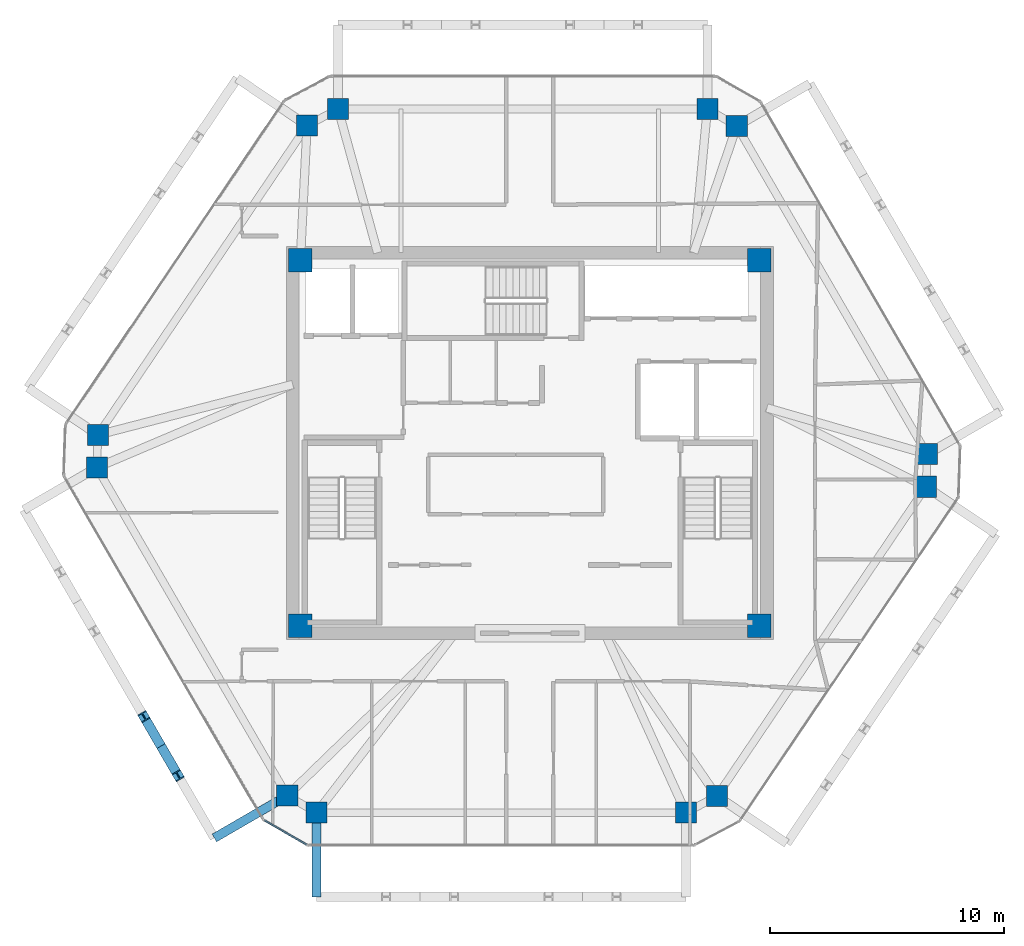
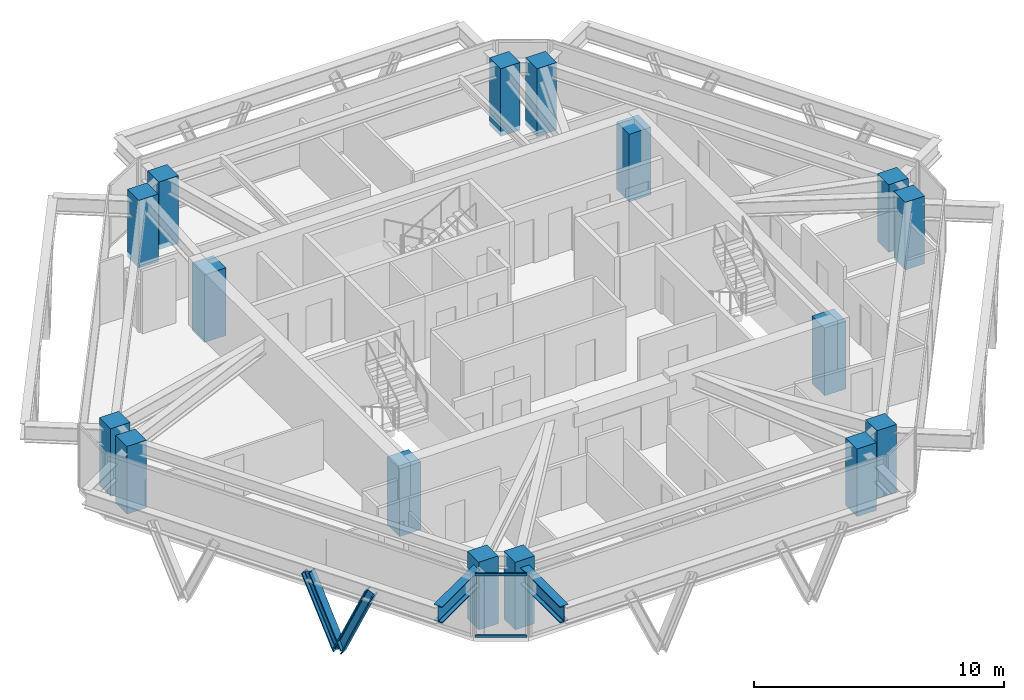
# One storey, part 1 of 11: 16 columns, 4 members, 2 beams, 1 element without a shape of its own.
"""IFC4 building model written with IfcOpenShell, lengths in metres."""

from ifc_helpers import new_model, si_unit, direction, frame, origin, origin_2d, place, context, subcontext, project, spatial, rectangle, i_section, extrude, source, transform, mapped, material, layer, layer_set, material_profile, profile_set, type_object, type_shapes, element, aggregate, save


model = new_model("IFC4")

# Units and contexts
model_context = context("Model", 3, precision=1e-05, world=origin(), true_north=direction((0.0, 1.0)))
body_context = subcontext(model_context, "Body", "Model", "MODEL_VIEW")
ifc_project = project(units=[si_unit("LENGTHUNIT", "METRE"), si_unit("AREAUNIT", "SQUARE_METRE"), si_unit("VOLUMEUNIT", "CUBIC_METRE"), si_unit("PLANEANGLEUNIT", "RADIAN"), si_unit("MASSUNIT", "GRAM", prefix="KILO")], contexts=[model_context])

# Site, building, storey
site_placement = place(None, origin())
site = spatial("IfcSite", under=ifc_project, at=site_placement, CompositionType="ELEMENT")
building_placement = place(site_placement, origin())
building = spatial("IfcBuilding", under=site, at=building_placement, Name="Durnholm Broadcast Tower", CompositionType="ELEMENT")
storey_placement = place(building_placement, frame((0.0, 0.0, 244.699951171875)))
storey = spatial("IfcBuildingStorey", under=building, at=storey_placement, Name="L68", CompositionType="ELEMENT", Elevation=244.699951171875)

# Columns
ifc_material_1 = material(Name="Concrete C70/85", Category="concrete")
ifc_material_profile_1 = material_profile(ifc_material_1, rectangle(XDim=1.0, YDim=1.0, at=origin_2d()), Name="RC1000X1000")
ifc_profile_set_1 = profile_set([ifc_material_profile_1], Name="Concrete C70/85")
column_type_1 = type_object("IfcColumnType", Name="COL-CC-1000", PredefinedType="COLUMN", material=ifc_profile_set_1)
shared_shape_1 = source(origin(), body_context, "Body", "SweptSolid", [
    extrude(rectangle(XDim=1.0, YDim=1.0, at=origin_2d()), origin(), (0.0, 0.0, 1.0), 3.300048828125),
])
type_shapes(column_type_1, [shared_shape_1])
for number, where, z_axis, x_axis, name in (
    (1, (-9.800048828125, -7.800048828125, -0.239990234375), (0.0, 0.0, 1.0), (1.0, 0.0, 0.0), "L68 core corner column 1"),
    (2, (9.800048828125, -7.800048828125, -0.239990234375), (0.0, 0.0, 1.0), (1.0, 0.0, 0.0), "L68 core corner column 2"),
    (3, (9.800048828125, 7.800048828125, -0.239990234375), (0.0, 0.0, 1.0), (1.0, 0.0, 0.0), "L68 core corner column 3"),
    (4, (-9.800048828125, 7.800048828125, -0.239990234375), (0.0, 0.0, 1.0), (1.0, 0.0, 0.0), "L68 core corner column 4"),
):
    element("IfcColumn", number, at=place(storey_placement, frame(where, z_axis=z_axis, x_axis=x_axis)), inside=storey, type_object=column_type_1, Name=name, PredefinedType="COLUMN", context=body_context, shape_type="MappedRepresentation", body=[
        mapped(shared_shape_1, transform((0.0, 0.0, 0.0), x_axis=(1.0, 0.0, 0.0), y_axis=(0.0, 1.0, 0.0), z_axis=(0.0, 0.0, 1.0), scale=1.0)),
    ])
ifc_material_profile_2 = material_profile(ifc_material_1, rectangle(XDim=0.89990234375, YDim=0.89990234375, at=origin_2d()), Name="RC900X900")
ifc_profile_set_2 = profile_set([ifc_material_profile_2], Name="Concrete C70/85")
column_type_2 = type_object("IfcColumnType", Name="COL-CC-900", PredefinedType="COLUMN", material=ifc_profile_set_2)
shared_shape_2 = source(origin(), body_context, "Body", "SweptSolid", [
    extrude(rectangle(XDim=0.89990234375, YDim=0.89990234375, at=origin_2d()), origin(), (0.0, 0.0, 1.0), 3.300048828125),
])
type_shapes(column_type_2, [shared_shape_2])
for number, where, z_axis, x_axis, name in (
    (5, (-10.361328125, -15.061767578125, -0.239990234375), (0.0, 0.0, 1.0), (1.0, 0.0, 0.0), "L68 perimeter hexagonal tube column 01"),
    (6, (-18.494384765625, -1.0478515625, -0.239990234375), (0.0, 0.0, 1.0), (1.0, 0.0, 0.0), "L68 perimeter hexagonal tube column 02"),
    (7, (-18.4462890625, 0.345947265625, -0.239990234375), (0.0, 0.0, 1.0), (1.0, 0.0, 0.0), "L68 perimeter hexagonal tube column 03"),
    (8, (-9.514892578125, 13.557373046875, -0.239990234375), (0.0, 0.0, 1.0), (1.0, 0.0, 0.0), "L68 perimeter hexagonal tube column 04"),
    (9, (-8.187744140625, 14.261962890625, -0.239990234375), (0.0, 0.0, 1.0), (1.0, 0.0, 0.0), "L68 perimeter hexagonal tube column 05"),
    (10, (7.57958984375, 14.261962890625, -0.239990234375), (0.0, 0.0, 1.0), (1.0, 0.0, 0.0), "L68 perimeter hexagonal tube column 06"),
    (11, (8.83740234375, 13.53759765625, -0.239990234375), (0.0, 0.0, 1.0), (1.0, 0.0, 0.0), "L68 perimeter hexagonal tube column 07"),
    (12, (16.97021484375, -0.47607421875, -0.239990234375), (0.0, 0.0, 1.0), (1.0, 0.0, 0.0), "L68 perimeter hexagonal tube column 08"),
    (13, (16.92236328125, -1.869873046875, -0.239990234375), (0.0, 0.0, 1.0), (1.0, 0.0, 0.0), "L68 perimeter hexagonal tube column 09"),
    (14, (7.990966796875, -15.081298828125, -0.239990234375), (0.0, 0.0, 1.0), (1.0, 0.0, 0.0), "L68 perimeter hexagonal tube column 10"),
    (15, (6.663818359375, -15.785888671875, -0.239990234375), (0.0, 0.0, 1.0), (1.0, 0.0, 0.0), "L68 perimeter hexagonal tube column 11"),
    (16, (-9.103759765625, -15.785888671875, -0.239990234375), (0.0, 0.0, 1.0), (1.0, 0.0, 0.0), "L68 perimeter hexagonal tube column 12"),
):
    element("IfcColumn", number, at=place(storey_placement, frame(where, z_axis=z_axis, x_axis=x_axis)), inside=storey, type_object=column_type_2, Name=name, PredefinedType="COLUMN", context=body_context, shape_type="MappedRepresentation", body=[
        mapped(shared_shape_2, transform((0.0, 0.0, 0.0), x_axis=(1.0, 0.0, 0.0), y_axis=(0.0, 1.0, 0.0), z_axis=(0.0, 0.0, 1.0), scale=1.0)),
    ])

# Beams
ifc_material_2 = material(Name="Steel ASTM A992 Grade 50", Category="steel")
ifc_material_profile_3 = material_profile(ifc_material_2, i_section(OverallWidth=0.385009765625, OverallDepth=0.802978515625, WebThickness=0.023681640625, FlangeThickness=0.0419921875, FilletRadius=0.032958984375, at=origin_2d()), Name="W30X261")
ifc_profile_set_3 = profile_set([ifc_material_profile_3], Name="Steel ASTM A992 Grade 50")
beam_type = type_object("IfcBeamType", Name="BM-EXO-TIE", PredefinedType="USERDEFINED", material=ifc_profile_set_3)
shared_shape_3 = source(origin(), body_context, "Body", "SweptSolid", [
    extrude(i_section(OverallWidth=0.385009765625, OverallDepth=0.802978515625, WebThickness=0.023681640625, FlangeThickness=0.0419921875, FilletRadius=0.032958984375, at=origin_2d()), origin(), (0.0, 0.0, 1.0), 3.4560546875),
])
type_shapes(beam_type, [shared_shape_3])
for number, where, z_axis, x_axis, name in (
    (17, (-9.103759765625, -15.929931640625, 2.30859375), (0.0, -1.0, 0.0), (1.0, 0.0, 0.0), "L68 exoskeleton stand-off tie bracket F1.1"),
    (18, (-10.48583984375, -15.134033203125, 2.30859375), (-0.864924479231, -0.501902027518, 0.0), (0.501902027518, -0.864924479231, 0.0), "L68 exoskeleton stand-off tie bracket F6.2"),
):
    element("IfcBeam", number, at=place(storey_placement, frame(where, z_axis=z_axis, x_axis=x_axis)), inside=storey, type_object=beam_type, Name=name, ObjectType="GIRDER", PredefinedType="USERDEFINED", context=body_context, shape_type="MappedRepresentation", body=[
        mapped(shared_shape_3, transform((0.0, 0.0, 0.0), x_axis=(1.0, 0.0, 0.0), y_axis=(0.0, 1.0, 0.0), z_axis=(0.0, 0.0, 1.0), scale=1.0)),
    ])

# Members
ifc_material_3 = material(Name="Steel ASTM A913 Grade 65", Category="steel")
ifc_material_profile_4 = material_profile(ifc_material_3, i_section(OverallWidth=0.40625, OverallDepth=0.416015625, WebThickness=0.02978515625, FlangeThickness=0.048095703125, FilletRadius=0.030517578125, at=origin_2d()), Name="W14X257")
ifc_profile_set_4 = profile_set([ifc_material_profile_4], Name="Steel ASTM A913 Grade 65")
member_type_1 = type_object("IfcMemberType", Name="STL-DG-W14X257", PredefinedType="BRACE", material=ifc_profile_set_4)
shared_shape_4 = source(origin(), body_context, "Body", "SweptSolid", [
    extrude(i_section(OverallWidth=0.40625, OverallDepth=0.416015625, WebThickness=0.02978515625, FlangeThickness=0.048095703125, FilletRadius=0.030517578125, at=origin_2d()), origin(), (0.0, 0.0, 1.0), 3.60791015625),
])
type_shapes(member_type_1, [shared_shape_4])
for number, where, z_axis, x_axis, name in (
    (19, (-15.752197265625, -12.94482421875, -0.991455078125), (-0.202871189729, 0.349577240207, 0.914679743685), (-0.864906184135, -0.501933554014, 0.0), "L68 stand-off diagrid brace F6.D2.1"),
    (20, (-15.752197265625, -12.94482421875, -0.991455078125), (0.202871189729, -0.349577240207, 0.914679743685), (0.864906184135, 0.501933554014, 0.0), "L68 stand-off diagrid brace F6.D2.2"),
):
    element("IfcMember", number, at=place(storey_placement, frame(where, z_axis=z_axis, x_axis=x_axis)), inside=storey, type_object=member_type_1, Name=name, PredefinedType="BRACE", context=body_context, shape_type="MappedRepresentation", body=[
        mapped(shared_shape_4, transform((0.0, 0.0, 0.0), x_axis=(1.0, 0.0, 0.0), y_axis=(0.0, 1.0, 0.0), z_axis=(0.0, 0.0, 1.0), scale=1.0)),
    ])

# Curtain wall, members
ifc_material_4 = material(Name="Aluminium and Solar Control IGU", Category="aluminium")
ifc_layer = layer(ifc_material_4, 0.1650390625)
ifc_layer_set = layer_set([ifc_layer], Name="Aluminium and Solar Control IGU")
curtain_wall_type = type_object("IfcCurtainWallType", Name="CW-SYS-5", PredefinedType="NOTDEFINED", material=ifc_layer_set)
curtain_wall_placement = place(storey_placement, origin())
curtain_wall = element("IfcCurtainWall", 21, at=curtain_wall_placement, inside=storey, type_object=curtain_wall_type, Name="L68 curtain wall CW-CORNER CW-L68-CRN-11", PredefinedType="NOTDEFINED")
ifc_material_5 = material(Name="Aluminium 6063-T6", Category="aluminium")
ifc_material_profile_5 = material_profile(ifc_material_5, rectangle(XDim=0.06494140625, YDim=0.1298828125, at=origin_2d()), Name="CWT65X130")
ifc_profile_set_5 = profile_set([ifc_material_profile_5], Name="Aluminium 6063-T6")
member_type_2 = type_object("IfcMemberType", Name="CW-SYS-5-TRN", PredefinedType="USERDEFINED", material=ifc_profile_set_5)
shared_shape_5 = source(origin(), body_context, "Body", "SweptSolid", [
    extrude(rectangle(XDim=0.06494140625, YDim=0.1298828125, at=origin_2d()), origin(), (0.0, 0.0, 1.0), 2.06982421875),
])
type_shapes(member_type_2, [shared_shape_5])
member_1_placement = place(storey_placement, frame((-9.534423828125, -17.153564453125, 0.032470703125), z_axis=(-0.866576086718, 0.499044973854, 0.0), x_axis=(-0.499044973854, -0.866576086718, 0.0)))
member_1 = element("IfcMember", 22, at=member_1_placement, type_object=member_type_2, Name="CW-CORNER transom 1.1", ObjectType="TRANSOM", PredefinedType="USERDEFINED", context=body_context, shape_type="MappedRepresentation", body=[
    mapped(shared_shape_5, transform((0.0, 0.0, 0.0), x_axis=(1.0, 0.0, 0.0), y_axis=(0.0, 1.0, 0.0), z_axis=(0.0, 0.0, 1.0), scale=1.0)),
])
member_2_placement = place(storey_placement, frame((-9.534423828125, -17.153564453125, 3.027587890625), z_axis=(-0.866576086718, 0.499044973854, 0.0), x_axis=(-0.499044973854, -0.866576086718, 0.0)))
member_2 = element("IfcMember", 23, at=member_2_placement, type_object=member_type_2, Name="CW-CORNER transom 1.2", ObjectType="TRANSOM", PredefinedType="USERDEFINED", context=body_context, shape_type="MappedRepresentation", body=[
    mapped(shared_shape_5, transform((0.0, 0.0, 0.0), x_axis=(1.0, 0.0, 0.0), y_axis=(0.0, 1.0, 0.0), z_axis=(0.0, 0.0, 1.0), scale=1.0)),
])
aggregate(curtain_wall, [member_1, member_2])

save(model, "model.ifc")
